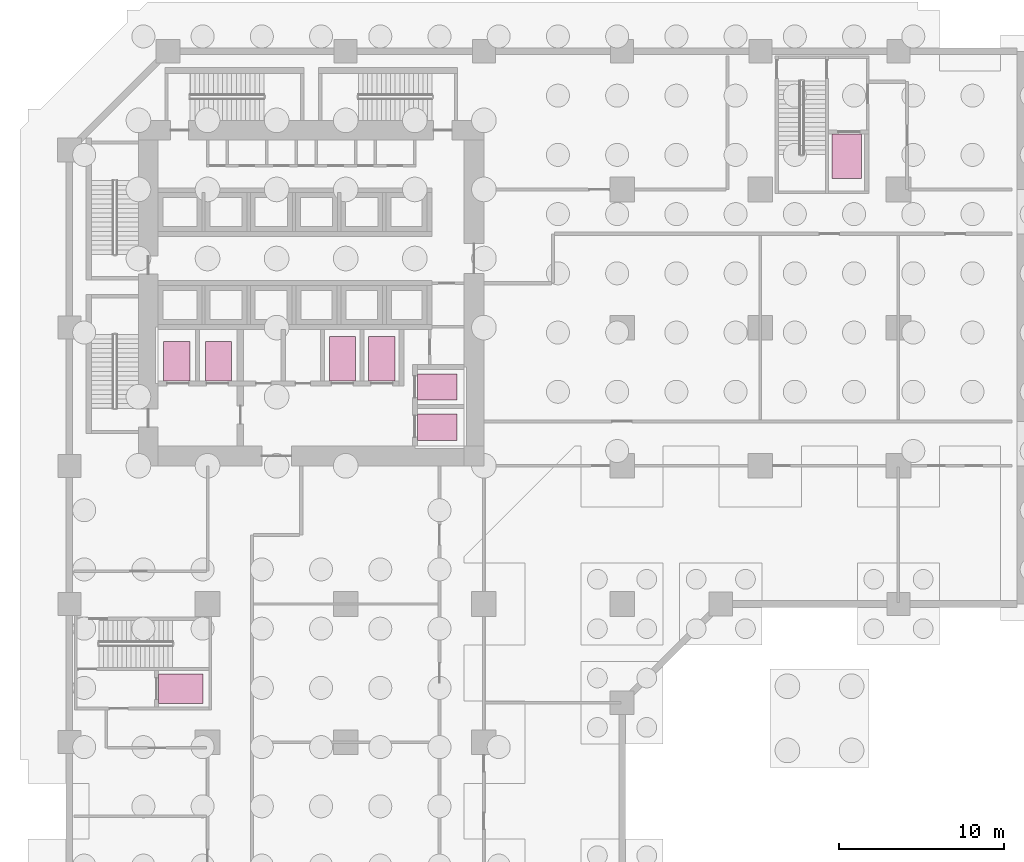
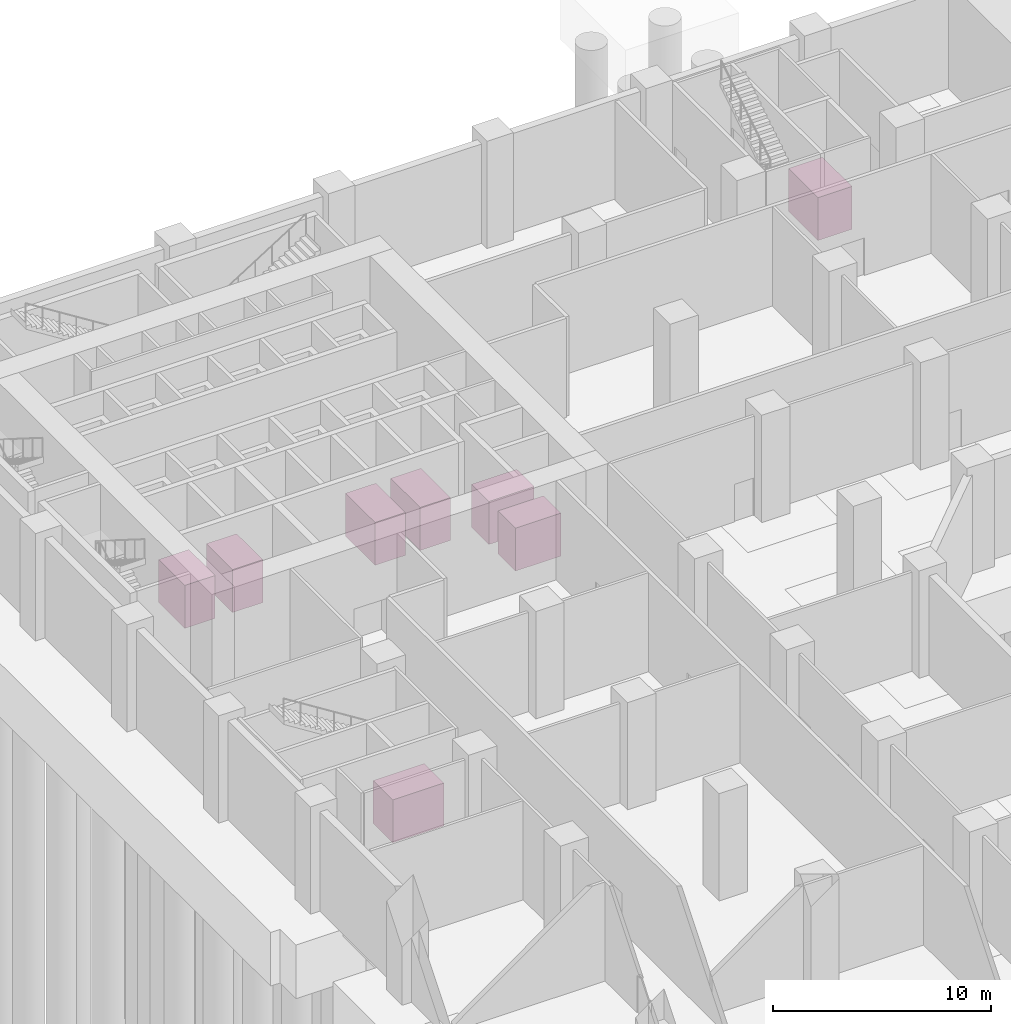
# One storey, part 13 of 13: 8 transport elements.
"""IFC4 building model written with IfcOpenShell, lengths in metres."""

from ifc_helpers import new_model, si_unit, direction, frame, origin, origin_2d, place, context, subcontext, project, spatial, rectangle, extrude, material, type_object, element, save


model = new_model("IFC4")

# Units and contexts
model_context = context("Model", 3, precision=1e-05, world=origin(), true_north=direction((0.0, 1.0)))
body_context = subcontext(model_context, "Body", "Model", "MODEL_VIEW")
ifc_project = project(units=[si_unit("LENGTHUNIT", "METRE"), si_unit("AREAUNIT", "SQUARE_METRE"), si_unit("VOLUMEUNIT", "CUBIC_METRE"), si_unit("PLANEANGLEUNIT", "RADIAN"), si_unit("MASSUNIT", "GRAM", prefix="KILO")], contexts=[model_context])

# Site, building, storey
site_placement = place(None, origin())
site = spatial("IfcSite", under=ifc_project, at=site_placement, CompositionType="ELEMENT")
building_placement = place(site_placement, origin())
building = spatial("IfcBuilding", under=site, at=building_placement, Name="Kawkab Arch Medical Tower", CompositionType="ELEMENT")
storey_placement = place(building_placement, frame((0.0, 0.0, -6.0)))
storey = spatial("IfcBuildingStorey", under=building, at=storey_placement, Name="B1", CompositionType="ELEMENT", Elevation=-6.0)

# Transport elements
ifc_material_1 = material(Name="Stainless steel", Category="steel")
transport_element_type_1 = type_object("IfcTransportElementType", Name="Bed lift car 1600x2400", PredefinedType="ELEVATOR", material=ifc_material_1)
for number, where, z_axis, x_axis, name in (
    (1, (22.35009765625, -20.41259765625, 0.0), (0.0, 0.0, 1.0), (1.0, 0.0, 0.0), "Bed lift BD1"),
    (2, (22.35009765625, -22.862548828125, 0.0), (0.0, 0.0, 1.0), (1.0, 0.0, 0.0), "Bed lift BD2"),
):
    element("IfcTransportElement", number, at=place(storey_placement, frame(where, z_axis=z_axis, x_axis=x_axis)), inside=storey, type_object=transport_element_type_1, Name=name, PredefinedType="ELEVATOR", context=body_context, shape_type="SweptSolid", body=[
        extrude(rectangle(XDim=2.39990234375, YDim=1.60009765625, at=origin_2d()), origin(), (0.0, 0.0, 1.0), 2.39990234375),
    ])
ifc_material_2 = material(Name="Stainless steel", Category="steel")
transport_element_type_2 = type_object("IfcTransportElementType", Name="Bed lift car 1600x2700", PredefinedType="ELEVATOR", material=ifc_material_2)
for number, where, z_axis, x_axis, name in (
    (3, (16.60009765625, -18.699951171875, 0.0), (0.0, 0.0, 1.0), (1.0, 0.0, 0.0), "Bed lift BD3"),
    (4, (18.987548828125, -18.699951171875, 0.0), (0.0, 0.0, 1.0), (1.0, 0.0, 0.0), "Bed lift BD4"),
):
    element("IfcTransportElement", number, at=place(storey_placement, frame(where, z_axis=z_axis, x_axis=x_axis)), inside=storey, type_object=transport_element_type_2, Name=name, PredefinedType="ELEVATOR", context=body_context, shape_type="SweptSolid", body=[
        extrude(rectangle(XDim=1.60009765625, YDim=2.699951171875, at=origin_2d()), origin(), (0.0, 0.0, 1.0), 2.39990234375),
    ])
ifc_material_3 = material(Name="Stainless steel", Category="steel")
transport_element_type_3 = type_object("IfcTransportElementType", Name="Firefighting lift car 1600x2400", PredefinedType="ELEVATOR", material=ifc_material_3)
for number, where, z_axis, x_axis, name in (
    (5, (6.53759765625, -18.85009765625, 0.0), (0.0, 0.0, 1.0), (1.0, 0.0, 0.0), "Firefighting lift FL1"),
    (6, (9.0625, -18.85009765625, 0.0), (0.0, 0.0, 1.0), (1.0, 0.0, 0.0), "Firefighting lift FL2"),
):
    element("IfcTransportElement", number, at=place(storey_placement, frame(where, z_axis=z_axis, x_axis=x_axis)), inside=storey, type_object=transport_element_type_3, Name=name, PredefinedType="ELEVATOR", context=body_context, shape_type="SweptSolid", body=[
        extrude(rectangle(XDim=1.60009765625, YDim=2.39990234375, at=origin_2d()), origin(), (0.0, 0.0, 1.0), 2.39990234375),
    ])
ifc_material_4 = material(Name="Stainless steel", Category="steel")
transport_element_type_4 = type_object("IfcTransportElementType", Name="Service lift car 1800x2700", PredefinedType="ELEVATOR", material=ifc_material_4)
transport_element_1_placement = place(storey_placement, frame((47.25, -6.375, 0.0), z_axis=(0.0, 0.0, 1.0), x_axis=(1.0, 0.0, 0.0)))
element("IfcTransportElement", 7, at=transport_element_1_placement, inside=storey, type_object=transport_element_type_4, Name="Service lift SV1", PredefinedType="ELEVATOR", context=body_context, shape_type="SweptSolid", body=[
    extrude(rectangle(XDim=1.800048828125, YDim=2.699951171875, at=origin_2d()), origin(), (0.0, 0.0, 1.0), 2.39990234375),
])
transport_element_2_placement = place(storey_placement, frame((6.77490234375, -38.75, 0.0), z_axis=(0.0, 0.0, 1.0), x_axis=(1.0, 0.0, 0.0)))
element("IfcTransportElement", 8, at=transport_element_2_placement, inside=storey, type_object=transport_element_type_4, Name="Service lift SV2", PredefinedType="ELEVATOR", context=body_context, shape_type="SweptSolid", body=[
    extrude(rectangle(XDim=2.699951171875, YDim=1.800048828125, at=origin_2d()), origin(), (0.0, 0.0, 1.0), 2.39990234375),
])

save(model, "model.ifc")
